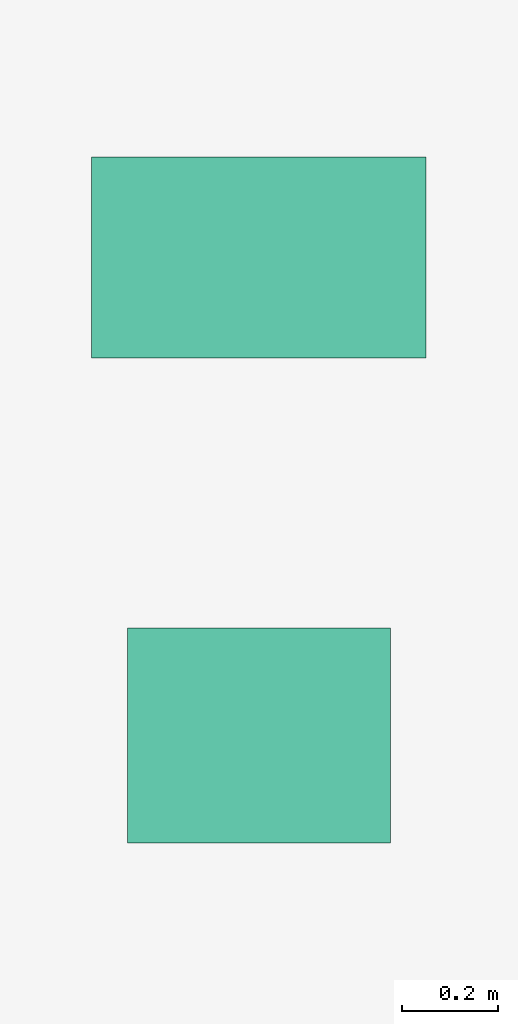
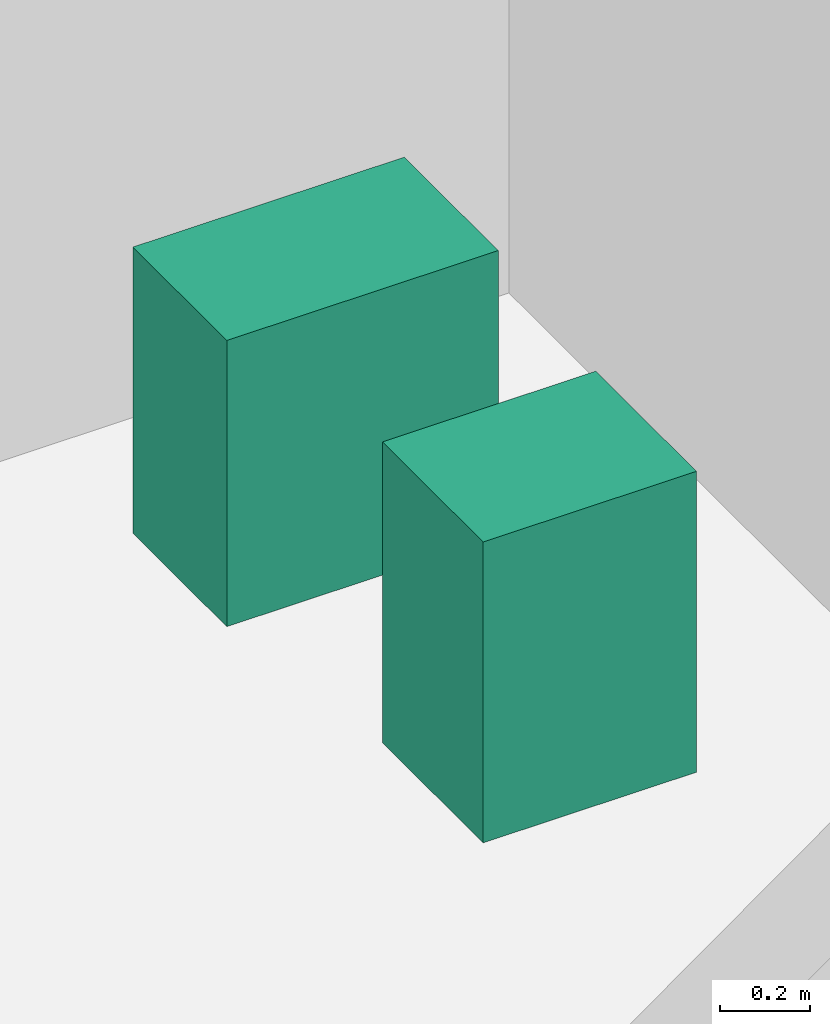
# One storey, part 28 of 29: 2 sanitary terminals.
"""IFC4 building model written with IfcOpenShell, lengths in metres."""

from ifc_helpers import new_model, si_unit, direction, frame, origin, origin_2d, place, context, subcontext, project, spatial, rectangle, extrude, source, transform, mapped, material, type_object, element, save


model = new_model("IFC4")

# Units and contexts
model_context = context("Model", 3, precision=1e-05, world=origin(), true_north=direction((0.0, 1.0)))
body_context = subcontext(model_context, "Body", "Model", "MODEL_VIEW")
ifc_project = project(units=[si_unit("LENGTHUNIT", "METRE"), si_unit("AREAUNIT", "SQUARE_METRE"), si_unit("VOLUMEUNIT", "CUBIC_METRE"), si_unit("PLANEANGLEUNIT", "RADIAN"), si_unit("MASSUNIT", "GRAM", prefix="KILO")], contexts=[model_context])

# Site, building, storey
site_placement = place(None, origin())
site = spatial("IfcSite", under=ifc_project, at=site_placement, CompositionType="ELEMENT")
building_placement = place(site_placement, origin())
building = spatial("IfcBuilding", under=site, at=building_placement, Name="Sumidabori Civic Tower", CompositionType="ELEMENT")
storey_placement = place(building_placement, frame((0.0, 0.0, 131.60009765625)))
storey = spatial("IfcBuildingStorey", under=building, at=storey_placement, Name="L33", CompositionType="ELEMENT", Elevation=131.60009765625)

# Sanitary terminals
ifc_material = material(Name="Vitreous Sanitary Porcelain")
sanitary_terminal_type_1 = type_object("IfcSanitaryTerminalType", Name="SN-WC-1", PredefinedType="TOILETPAN", material=ifc_material)
shared_shape_1 = source(origin(), body_context, "Body", "SweptSolid", [
    extrude(rectangle(XDim=0.699951171875, YDim=0.419921875, at=origin_2d()), origin(), (0.0, 0.0, 1.0), 0.780029296875),
])
sanitary_terminal_1_placement = place(storey_placement, frame((10.800048828125, 21.85009765625, 0.0), z_axis=(0.0, 0.0, 1.0), x_axis=(1.0, 0.0, 0.0)))
element("IfcSanitaryTerminal", 1, at=sanitary_terminal_1_placement, inside=storey, type_object=sanitary_terminal_type_1, Name="Accessible WC Pan L33", PredefinedType="TOILETPAN", context=body_context, shape_type="MappedRepresentation", body=[
    mapped(shared_shape_1, transform((0.0, 0.0, 0.0), x_axis=(1.0, 0.0, 0.0), y_axis=(0.0, 1.0, 0.0), z_axis=(0.0, 0.0, 1.0), scale=1.0)),
])
sanitary_terminal_type_2 = type_object("IfcSanitaryTerminalType", Name="SN-BAS-1", PredefinedType="WASHHANDBASIN", material=ifc_material)
shared_shape_2 = source(origin(), body_context, "Body", "SweptSolid", [
    extrude(rectangle(XDim=0.550048828125, YDim=0.449951171875, at=origin_2d()), origin(), (0.0, 0.0, 1.0), 0.820068359375),
])
sanitary_terminal_2_placement = place(storey_placement, frame((10.800048828125, 20.85009765625, 0.0), z_axis=(0.0, 0.0, 1.0), x_axis=(1.0, 0.0, 0.0)))
element("IfcSanitaryTerminal", 2, at=sanitary_terminal_2_placement, inside=storey, type_object=sanitary_terminal_type_2, Name="Accessible Basin L33", PredefinedType="WASHHANDBASIN", context=body_context, shape_type="MappedRepresentation", body=[
    mapped(shared_shape_2, transform((0.0, 0.0, 0.0), x_axis=(1.0, 0.0, 0.0), y_axis=(0.0, 1.0, 0.0), z_axis=(0.0, 0.0, 1.0), scale=1.0)),
])

save(model, "model.ifc")
